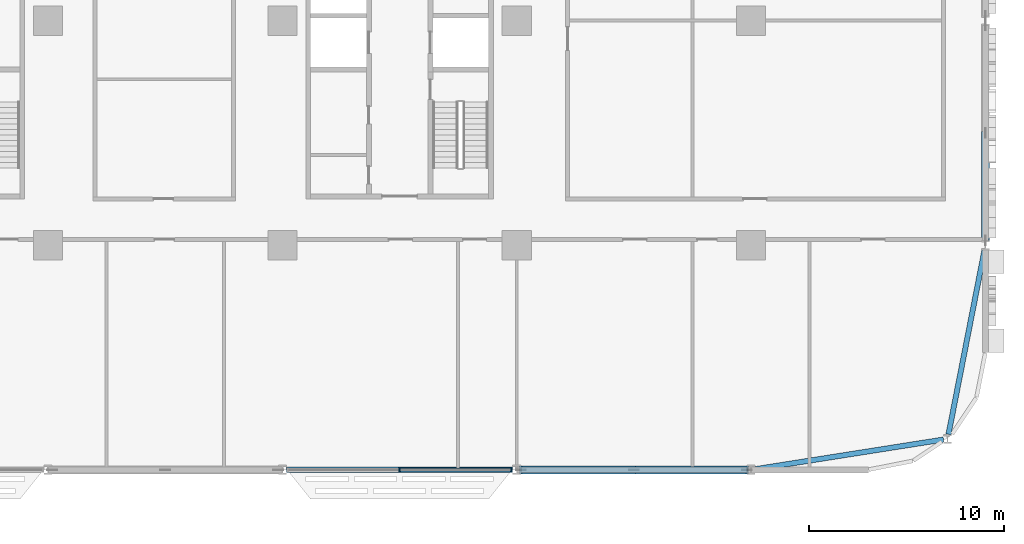
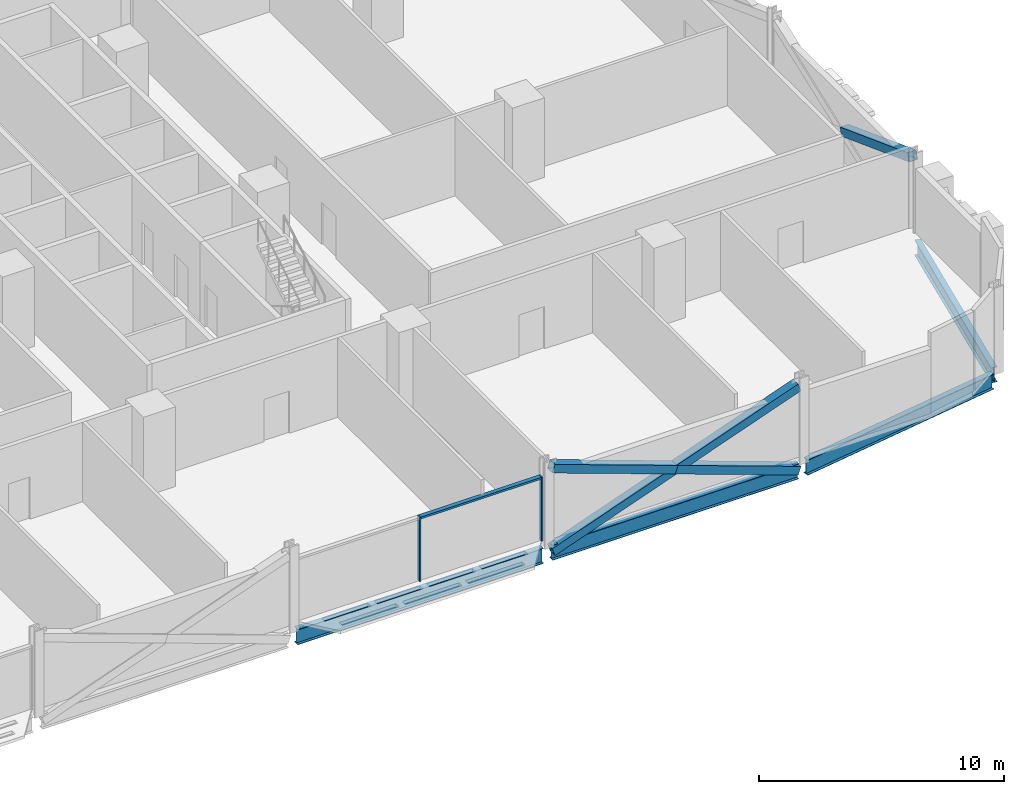
# One storey, part 8 of 29: 7 members, 4 beams, 1 element without a shape of its own.
"""IFC4 building model written with IfcOpenShell, lengths in metres."""

from ifc_helpers import new_model, si_unit, direction, frame, origin, origin_2d, place, context, subcontext, project, spatial, rectangle, hollow_rectangle, i_section, extrude, material, material_profile, profile_set, type_object, element, aggregate, save


model = new_model("IFC4")

# Units and contexts
model_context = context("Model", 3, precision=1e-05, world=origin(), true_north=direction((0.0, 1.0)))
body_context = subcontext(model_context, "Body", "Model", "MODEL_VIEW")
ifc_project = project(units=[si_unit("LENGTHUNIT", "METRE"), si_unit("AREAUNIT", "SQUARE_METRE"), si_unit("VOLUMEUNIT", "CUBIC_METRE"), si_unit("PLANEANGLEUNIT", "RADIAN"), si_unit("MASSUNIT", "GRAM", prefix="KILO")], contexts=[model_context])

# Site, building, storey
site_placement = place(None, origin())
site = spatial("IfcSite", under=ifc_project, at=site_placement, CompositionType="ELEMENT")
building_placement = place(site_placement, origin())
building = spatial("IfcBuilding", under=site, at=building_placement, Name="Mahtab Terrace Research Tower", CompositionType="ELEMENT")
storey_placement = place(building_placement, frame((0.0, 0.0, 71.800048828125)))
storey = spatial("IfcBuildingStorey", under=building, at=storey_placement, Name="L16", CompositionType="ELEMENT", Elevation=71.800048828125)

# Members
ifc_material_1 = material(Name="Steel ASTM A500 Gr C", Category="steel")
ifc_material_profile_1 = material_profile(ifc_material_1, hollow_rectangle(XDim=0.406494140625, YDim=0.406494140625, WallThickness=0.01904296875, at=origin_2d()), Name="HSS16X16X3/4")
ifc_profile_set_1 = profile_set([ifc_material_profile_1], Name="Steel ASTM A500 Gr C")
member_type_1 = type_object("IfcMemberType", Name="HSS 16x16x3/4 brace XB161634", PredefinedType="BRACE", material=ifc_profile_set_1)
member_1_placement = place(storey_placement, frame((30.212158203125, -23.0, -0.642578125), z_axis=(0.94138021482, 0.0, 0.33734743388), x_axis=(0.0, 1.0, 0.0)))
element("IfcMember", 1, at=member_1_placement, inside=storey, type_object=member_type_1, Name="Exoskeleton brace L16 19 a", PredefinedType="BRACE", context=body_context, shape_type="SweptSolid", body=[
    extrude(hollow_rectangle(XDim=0.406494140625, YDim=0.406494140625, WallThickness=0.01904296875, at=origin_2d()), origin(), (0.0, 0.0, 1.0), 12.29638671875),
])
for number, where, z_axis, x_axis, name in (
    (2, (41.787841796875, -23.0, -0.642578125), (-0.941386519928, 0.0, 0.337329838731), (0.0, -1.0, 0.0), "Exoskeleton brace L16 19 b1"),
    (3, (36.0, -23.0, 1.431396484375), (-0.941373909467, 0.0, 0.337365028677), (0.0, -1.0, 0.0), "Exoskeleton brace L16 19 b2"),
):
    element("IfcMember", number, at=place(storey_placement, frame(where, z_axis=z_axis, x_axis=x_axis)), inside=storey, type_object=member_type_1, Name=name, PredefinedType="BRACE", context=body_context, shape_type="SweptSolid", body=[
        extrude(hollow_rectangle(XDim=0.406494140625, YDim=0.406494140625, WallThickness=0.01904296875, at=origin_2d()), origin(), (0.0, 0.0, 1.0), 6.148193359375),
    ])
member_2_placement = place(storey_placement, frame((54.0, -5.75, 1.431396484375), z_axis=(0.0, -0.936657793787, 0.350245881259), x_axis=(1.0, 0.0, 0.0)))
element("IfcMember", 4, at=member_2_placement, inside=storey, type_object=member_type_1, Name="Exoskeleton brace L16 22 b2", PredefinedType="BRACE", context=body_context, shape_type="SweptSolid", body=[
    extrude(hollow_rectangle(XDim=0.406494140625, YDim=0.406494140625, WallThickness=0.01904296875, at=origin_2d()), origin(), (0.0, 0.0, 1.0), 5.88525390625),
])

# Curtain wall, members
ifc_material_2 = material(Name="Laboratory ribbon curtain wall")
curtain_wall_type = type_object("IfcCurtainWallType", Name="Laboratory ribbon curtain wall", PredefinedType="NOTDEFINED", material=ifc_material_2)
curtain_wall_placement = place(storey_placement, origin())
curtain_wall = element("IfcCurtainWall", 5, at=curtain_wall_placement, inside=storey, type_object=curtain_wall_type, Name="EN.L16.13.28", PredefinedType="NOTDEFINED")
ifc_material_3 = material(Name="Natural anodised aluminium", Category="aluminium")
ifc_material_profile_2 = material_profile(ifc_material_3, rectangle(XDim=0.199951171875, YDim=0.06494140625, at=origin_2d()), Name="MULLION 65x200")
ifc_profile_set_2 = profile_set([ifc_material_profile_2], Name="Natural anodised aluminium")
member_type_2 = type_object("IfcMemberType", Name="Laboratory ribbon curtain wall mullion", PredefinedType="MULLION", material=ifc_profile_set_2)
member_3_placement = place(storey_placement, frame((24.0, -23.0, 0.0), z_axis=(0.0, 0.0, 1.0), x_axis=(0.0, 1.0, 0.0)))
member_3 = element("IfcMember", 6, at=member_3_placement, type_object=member_type_2, Name="CWL-2 mullion 2", PredefinedType="MULLION", context=body_context, shape_type="SweptSolid", body=[
    extrude(rectangle(XDim=0.199951171875, YDim=0.06494140625, at=origin_2d()), origin(), (0.0, 0.0, 1.0), 3.203125),
])
member_4_placement = place(storey_placement, frame((29.7294921875, -23.0, 0.0), z_axis=(0.0, 0.0, 1.0), x_axis=(0.0, 1.0, 0.0)))
member_4 = element("IfcMember", 7, at=member_4_placement, type_object=member_type_2, Name="CWL-2 mullion 3", PredefinedType="MULLION", context=body_context, shape_type="SweptSolid", body=[
    extrude(rectangle(XDim=0.199951171875, YDim=0.06494140625, at=origin_2d()), origin(), (0.0, 0.0, 1.0), 3.203125),
])
ifc_material_profile_3 = material_profile(ifc_material_3, rectangle(XDim=0.199951171875, YDim=0.10009765625, at=origin_2d()), Name="TRANSOM 100x200")
ifc_profile_set_3 = profile_set([ifc_material_profile_3], Name="Natural anodised aluminium")
member_type_3 = type_object("IfcMemberType", Name="Laboratory ribbon curtain wall transom", PredefinedType="USERDEFINED", material=ifc_profile_set_3)
member_5_placement = place(storey_placement, frame((24.032470703125, -23.0, 3.153076171875), z_axis=(1.0, 0.0, 0.0), x_axis=(0.0, 1.0, 0.0)))
member_5 = element("IfcMember", 8, at=member_5_placement, type_object=member_type_3, Name="CWL-2 transom 2", ObjectType="TRANSOM", PredefinedType="USERDEFINED", context=body_context, shape_type="SweptSolid", body=[
    extrude(rectangle(XDim=0.199951171875, YDim=0.10009765625, at=origin_2d()), origin(), (0.0, 0.0, 1.0), 5.66455078125),
])
aggregate(curtain_wall, [member_3, member_4, member_5])

# Beams
ifc_material_4 = material(Name="Steel ASTM A992 Gr 50", Category="steel")
ifc_material_profile_4 = material_profile(ifc_material_4, i_section(OverallWidth=0.2666015625, OverallDepth=0.7568359375, WebThickness=0.013916015625, FlangeThickness=0.019287109375, at=origin_2d()), Name="W30X108")
ifc_profile_set_4 = profile_set([ifc_material_profile_4], Name="Steel ASTM A992 Gr 50")
beam_type = type_object("IfcBeamType", Name="W30x108 beam BS30108", PredefinedType="BEAM", material=ifc_profile_set_4)
for number, where, z_axis, x_axis, name in (
    (9, (18.212158203125, -23.0, -0.718505859375), (1.0, 0.0, 0.0), (0.0, 1.0, 0.0), "Spandrel beam L16 18"),
    (10, (30.212158203125, -23.0, -0.718505859375), (1.0, 0.0, 0.0), (0.0, 1.0, 0.0), "Spandrel beam L16 19"),
):
    element("IfcBeam", number, at=place(storey_placement, frame(where, z_axis=z_axis, x_axis=x_axis)), inside=storey, type_object=beam_type, Name=name, PredefinedType="BEAM", context=body_context, shape_type="SweptSolid", body=[
        extrude(i_section(OverallWidth=0.2666015625, OverallDepth=0.7568359375, WebThickness=0.013916015625, FlangeThickness=0.019287109375, at=origin_2d()), origin(), (0.0, 0.0, 1.0), 11.57568359375),
    ])
beam_1_placement = place(storey_placement, frame((42.212158203125, -22.966552734375, -0.718505859375), z_axis=(0.987836303792, 0.155497385545, 0.0), x_axis=(-0.155497385545, 0.987836303792, 0.0)))
element("IfcBeam", 11, at=beam_1_placement, inside=storey, type_object=beam_type, Name="Spandrel beam L16 20", PredefinedType="BEAM", context=body_context, shape_type="SweptSolid", body=[
    extrude(i_section(OverallWidth=0.2666015625, OverallDepth=0.7568359375, WebThickness=0.013916015625, FlangeThickness=0.019287109375, at=origin_2d()), origin(), (0.0, 0.0, 1.0), 9.75634765625),
])
beam_2_placement = place(storey_placement, frame((52.1083984375, -21.178466796875, -0.718505859375), z_axis=(0.191819239661, 0.981430272254, 0.0), x_axis=(-0.981430272254, 0.191819239661, 0.0)))
element("IfcBeam", 12, at=beam_2_placement, inside=storey, type_object=beam_type, Name="Spandrel beam L16 21", PredefinedType="BEAM", context=body_context, shape_type="SweptSolid", body=[
    extrude(i_section(OverallWidth=0.2666015625, OverallDepth=0.7568359375, WebThickness=0.013916015625, FlangeThickness=0.019287109375, at=origin_2d()), origin(), (0.0, 0.0, 1.0), 9.61962890625),
])

save(model, "model.ifc")
